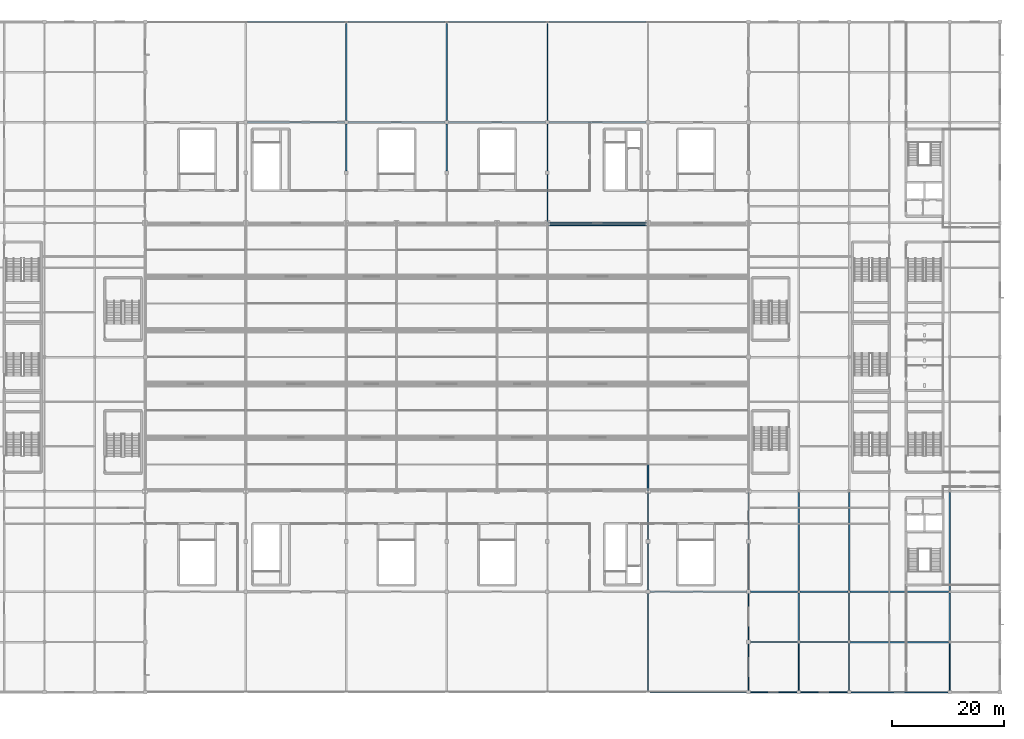
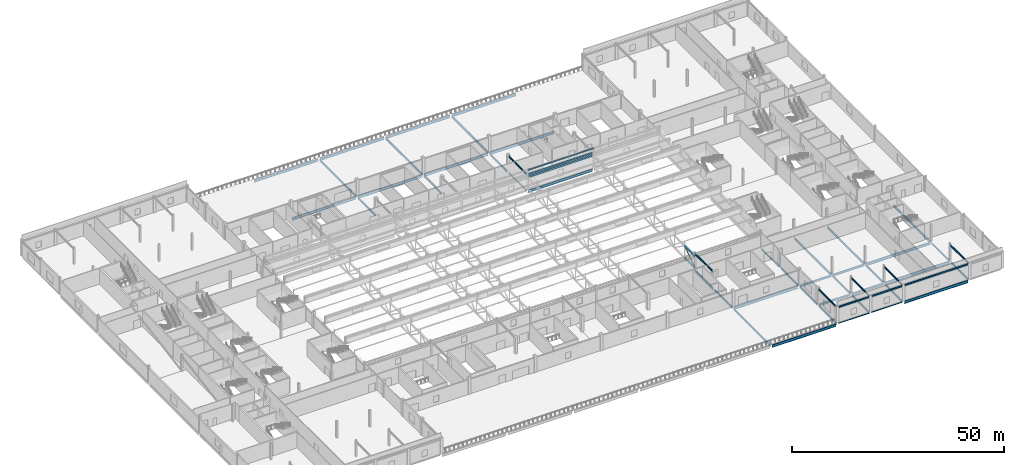
# One storey, part 60 of 136: 56 beams, 2 members.
"""IFC4 building model written with IfcOpenShell, lengths in metres."""

import ifcopenshell
import ifcopenshell.guid

model = None  # the IFC model being written
_history = None  # IfcOwnerHistory: only IFC2X3 demands one
_inside = {}  # id of a spatial element -> (the spatial element, [elements in it])
_under = {}  # id of a project, library or spatial element -> (it, [spatial elements below it])
_declared = {}  # id of a project -> (the project, [libraries it declares])
_typed = {}  # id of a type object -> (the type object, [elements of that type])
_made_of = {}  # id of a material, layer set ... -> (it, [elements and type objects made of it])


def new_model(schema):
    """Start an empty IFC model of exactly this schema.

    Asked for "IFC4X3", IfcOpenShell would pick the latest addendum, in which some entities
    have other attributes; the version numbers below select the first issue.
    IFC2X3 requires an IfcOwnerHistory on every rooted entity: one is made here for all.
    """
    global model, _history
    if schema == "IFC4X3":
        model = ifcopenshell.file(schema_version=(4, 3, 0, 0))
    else:
        model = ifcopenshell.file(schema=schema)
    _inside.clear()
    _under.clear()
    _declared.clear()
    _typed.clear()
    _made_of.clear()
    _history = None
    if model.schema == "IFC2X3":
        org = make("IfcOrganization", Name="unknown")
        user = make(
            "IfcPersonAndOrganization",
            ThePerson=make("IfcPerson", FamilyName="unknown"),
            TheOrganization=org,
        )
        app = make(
            "IfcApplication",
            ApplicationDeveloper=org,
            Version="unknown",
            ApplicationFullName="unknown",
            ApplicationIdentifier="unknown",
        )
        _history = make(
            "IfcOwnerHistory",
            OwningUser=user,
            OwningApplication=app,
            ChangeAction="ADDED",
            CreationDate=0,
        )
    return model


def make(cls, **values):
    """One entity of the class cls with the attributes given. An attribute that is None is left unset."""
    return model.create_entity(
        cls, **{name: value for name, value in values.items() if value is not None}
    )


def rooted(cls, **values):
    """An entity with a GlobalId (a new one), such as an element, a storey or a relation."""
    return make(cls, GlobalId=ifcopenshell.guid.new(), OwnerHistory=_history, **values)


def si_unit(unit_type, name, prefix=None):
    """IfcSIUnit, for example si_unit("LENGTHUNIT", "METRE", prefix="MILLI")."""
    return make("IfcSIUnit", UnitType=unit_type, Prefix=prefix, Name=name)


def assignment(units):
    """IfcUnitAssignment: the units of a project."""
    return None if units is None else make("IfcUnitAssignment", Units=units)


def point(xyz):
    """IfcCartesianPoint."""
    return None if xyz is None else make("IfcCartesianPoint", Coordinates=xyz)


def direction(xyz):
    """IfcDirection."""
    return None if xyz is None else make("IfcDirection", DirectionRatios=xyz)


def frame(location, z_axis=None, x_axis=None):
    """IfcAxis2Placement3D, a coordinate frame: its origin and axes. An axis left out is left unset."""
    return make(
        "IfcAxis2Placement3D",
        Location=point(location),
        Axis=direction(z_axis),
        RefDirection=direction(x_axis),
    )


def frame_2d(location, x_axis=None):
    """IfcAxis2Placement2D, a coordinate frame in the plane: its origin and x axis."""
    return make(
        "IfcAxis2Placement2D", Location=point(location), RefDirection=direction(x_axis)
    )


def origin():
    """The frame at (0, 0, 0) with its axes left unset."""
    return frame((0.0, 0.0, 0.0))


def origin_2d():
    """The frame at (0, 0) in the plane with its x axis left unset."""
    return frame_2d((0.0, 0.0))


def place(relative_to, where):
    """IfcLocalPlacement: puts the frame where relative to a parent placement (None: the world)."""
    return make(
        "IfcLocalPlacement", PlacementRelTo=relative_to, RelativePlacement=where
    )


def context(
    kind, dimensions, precision=None, world=None, true_north=None, identifier=None
):
    """IfcGeometricRepresentationContext, for example the 3D "Model" context."""
    return make(
        "IfcGeometricRepresentationContext",
        ContextIdentifier=identifier,
        ContextType=kind,
        CoordinateSpaceDimension=dimensions,
        Precision=precision,
        WorldCoordinateSystem=world,
        TrueNorth=true_north,
    )


def subcontext(parent, identifier, kind, view, scale=None):
    """IfcGeometricRepresentationSubContext, for example "Body" below "Model"."""
    return make(
        "IfcGeometricRepresentationSubContext",
        ContextIdentifier=identifier,
        ContextType=kind,
        ParentContext=parent,
        TargetScale=scale,
        TargetView=view,
    )


def project(units=None, contexts=None):
    """IfcProject with its units and contexts."""
    return rooted(
        "IfcProject",
        Name="project",
        RepresentationContexts=contexts,
        UnitsInContext=assignment(units),
    )


def spatial(cls, under=None, at=None, **own):
    """A site, building, storey or space (cls), placed at a placement, below another one or the project."""
    s = rooted(cls, ObjectPlacement=at, **own)
    if under is not None:
        _under.setdefault(under.id(), (under, []))[1].append(s)
    return s


def profile(cls, at=None, kind="AREA", **sizes):
    """A parametric profile (cls). Its sizes go by their IFC names, for example OverallWidth=200.0."""
    return make(cls, ProfileType=kind, Position=at, **sizes)


def hollow_rectangle(**sizes):
    """IfcRectangleHollowProfileDef."""
    return profile("IfcRectangleHollowProfileDef", **sizes)


def hollow_circle(**sizes):
    """IfcCircleHollowProfileDef."""
    return profile("IfcCircleHollowProfileDef", **sizes)


def i_section(**sizes):
    """IfcIShapeProfileDef."""
    return profile("IfcIShapeProfileDef", **sizes)


def extrude(swept, where, along, depth):
    """IfcExtrudedAreaSolid: the profile swept, set in the frame where, extruded along a direction by depth."""
    return make(
        "IfcExtrudedAreaSolid",
        SweptArea=swept,
        Position=where,
        ExtrudedDirection=direction(along),
        Depth=depth,
    )


def shape(context_of_items, identifier, shape_type, items):
    """IfcShapeRepresentation: the items that make up one representation, for example the "Body"."""
    return make(
        "IfcShapeRepresentation",
        ContextOfItems=context_of_items,
        RepresentationIdentifier=identifier,
        RepresentationType=shape_type,
        Items=items,
    )


def material(Name=None, Category=None):
    """IfcMaterial."""
    return make("IfcMaterial", Name=Name, Category=Category)


def material_profile(
    of_material, cross_section, Name=None, Category=None, Priority=None
):
    """IfcMaterialProfile: a cross section and its material."""
    return make(
        "IfcMaterialProfile",
        Name=Name,
        Material=of_material,
        Profile=cross_section,
        Priority=Priority,
        Category=Category,
    )


def profile_set(profiles, Name=None, composite=None):
    """IfcMaterialProfileSet."""
    return make(
        "IfcMaterialProfileSet",
        Name=Name,
        MaterialProfiles=profiles,
        CompositeProfile=composite,
    )


def made_of(thing, what):
    """Note that an element or type object is made of a material, layer set ...; save() writes the relation."""
    if what is not None:
        _made_of.setdefault(what.id(), (what, []))[1].append(thing)
    return thing


def type_object(cls, material=None, **own):
    """A type object (cls), such as IfcWallType, which elements share."""
    return made_of(rooted(cls, **own), material)


def element(
    cls,
    number,
    at=None,
    inside=None,
    cuts=None,
    type_object=None,
    material=None,
    context=None,
    identifier="Body",
    shape_type=None,
    held_by="IfcProductDefinitionShape",
    body=None,
    shapes=None,
    **own,
):
    """One element of the class cls, such as IfcWall. Its Tag is "e" and its number.

    at: its placement. inside: the storey or other place that contains it. cuts: it is an
    opening in that element (IfcRelVoidsElement). A single representation is given by context,
    identifier, shape_type and body (its items); several are given by shapes. held_by: the class
    of the entity that holds the representations. save() writes the other relations.
    """
    e = rooted(cls, Tag="e%d" % number, ObjectPlacement=at, **own)
    if body is not None:
        shapes = [shape(context, identifier, shape_type, body)]
    if shapes is not None:
        e.Representation = make(held_by, Representations=shapes)
    if inside is not None:
        _inside.setdefault(inside.id(), (inside, []))[1].append(e)
    if cuts is not None:
        rooted(
            "IfcRelVoidsElement", RelatingBuildingElement=cuts, RelatedOpeningElement=e
        )
    if type_object is not None:
        _typed.setdefault(type_object.id(), (type_object, []))[1].append(e)
    return made_of(e, material)


def aggregate(whole, parts):
    """IfcRelAggregates: a whole, such as a stair, and the parts it consists of."""
    return rooted("IfcRelAggregates", RelatingObject=whole, RelatedObjects=parts)


def save(model, path):
    """Write the relations noted so far, then the file.

    IfcRelAggregates (storeys below a building ...), IfcRelContainedInSpatialStructure (elements
    in a storey), IfcRelDefinesByType, IfcRelAssociatesMaterial and IfcRelDeclares: one each for
    every whole, place, type object, material and project.
    """
    for whole, parts in _under.values():
        aggregate(whole, parts)
    for where, things in _inside.values():
        rooted(
            "IfcRelContainedInSpatialStructure",
            RelatedElements=things,
            RelatingStructure=where,
        )
    for kind, things in _typed.values():
        rooted("IfcRelDefinesByType", RelatedObjects=things, RelatingType=kind)
    for what, things in _made_of.values():
        rooted("IfcRelAssociatesMaterial", RelatedObjects=things, RelatingMaterial=what)
    for by, libraries in _declared.values():
        rooted("IfcRelDeclares", RelatingContext=by, RelatedDefinitions=libraries)
    model.write(path)


model = new_model("IFC4")

# Units and contexts
model_context = context("Model", 3, precision=1e-05, world=origin(), true_north=direction((0.0, 1.0)))
body_context = subcontext(model_context, "Body", "Model", "MODEL_VIEW")
ifc_project = project(units=[si_unit("LENGTHUNIT", "METRE"), si_unit("AREAUNIT", "SQUARE_METRE"), si_unit("VOLUMEUNIT", "CUBIC_METRE"), si_unit("PLANEANGLEUNIT", "RADIAN"), si_unit("MASSUNIT", "GRAM", prefix="KILO")], contexts=[model_context])

# Site, building, storey
site_placement = place(None, origin())
site = spatial("IfcSite", under=ifc_project, at=site_placement, CompositionType="ELEMENT")
building_placement = place(site_placement, origin())
building = spatial("IfcBuilding", under=site, at=building_placement, Name="Kisiwana Market Hall", CompositionType="ELEMENT")
storey_placement = place(building_placement, frame((0.0, 0.0, 16.800048828125)))
storey = spatial("IfcBuildingStorey", under=building, at=storey_placement, Name="L03", CompositionType="ELEMENT", Elevation=16.800048828125)

# Beams
ifc_material_1 = material(Name="Steel S355", Category="steel")
ifc_material_profile_1 = material_profile(ifc_material_1, i_section(OverallWidth=0.19140625, OverallDepth=0.4599609375, WebThickness=0.010009765625, FlangeThickness=0.01611328125, at=origin_2d()), Name="UB 457x191x82")
ifc_profile_set_1 = profile_set([ifc_material_profile_1], Name="Steel S355")
beam_type_1 = type_object("IfcBeamType", Name="BM-GIRD-UB457H", PredefinedType="BEAM", material=ifc_profile_set_1)
for number, where, z_axis, x_axis, name in (
    (1, (153.321044921875, 0.0, 4.27783203125), (1.0, 0.0, 0.0), (0.0, 1.0, 0.0), "Roof girder B-1119"),
    (2, (162.321044921875, 0.0, 4.27783203125), (1.0, 0.0, 0.0), (0.0, 1.0, 0.0), "Roof girder B-1120"),
):
    element("IfcBeam", number, at=place(storey_placement, frame(where, z_axis=z_axis, x_axis=x_axis)), inside=storey, type_object=beam_type_1, Name=name, PredefinedType="BEAM", context=body_context, shape_type="SweptSolid", body=[
        extrude(i_section(OverallWidth=0.19140625, OverallDepth=0.4599609375, WebThickness=0.010009765625, FlangeThickness=0.01611328125, at=origin_2d()), origin(), (0.0, 0.0, 1.0), 8.35791015625),
    ])
beam_1_placement = place(storey_placement, frame((171.321044921875, 0.0, 4.27783203125), z_axis=(1.0, 0.0, 0.0), x_axis=(0.0, 1.0, 0.0)))
element("IfcBeam", 3, at=beam_1_placement, inside=storey, type_object=beam_type_1, Name="Roof girder B-1121", PredefinedType="BEAM", context=body_context, shape_type="SweptSolid", body=[
    extrude(i_section(OverallWidth=0.19140625, OverallDepth=0.4599609375, WebThickness=0.010009765625, FlangeThickness=0.01611328125, at=origin_2d()), origin(), (0.0, 0.0, 1.0), 17.35791015625),
])
beam_2_placement = place(storey_placement, frame((153.0, 0.321044921875, 4.27783203125), z_axis=(0.0, 1.0, 0.0), x_axis=(-1.0, 0.0, 0.0)))
element("IfcBeam", 4, at=beam_2_placement, inside=storey, type_object=beam_type_1, Name="Roof girder B-1123", PredefinedType="BEAM", context=body_context, shape_type="SweptSolid", body=[
    extrude(i_section(OverallWidth=0.19140625, OverallDepth=0.4599609375, WebThickness=0.010009765625, FlangeThickness=0.01611328125, at=origin_2d()), origin(), (0.0, 0.0, 1.0), 8.35791015625),
])
for number, where, z_axis, x_axis, name in (
    (5, (162.0, 0.321044921875, 4.27783203125), (0.0, 1.0, 0.0), (-1.0, 0.0, 0.0), "Roof girder B-1124"),
    (6, (171.0, 0.321044921875, 4.27783203125), (0.0, 1.0, 0.0), (-1.0, 0.0, 0.0), "Roof girder B-1125"),
    (7, (189.0, 0.321044921875, 4.27783203125), (0.0, 1.0, 0.0), (-1.0, 0.0, 0.0), "Roof girder B-1126"),
):
    element("IfcBeam", number, at=place(storey_placement, frame(where, z_axis=z_axis, x_axis=x_axis)), inside=storey, type_object=beam_type_1, Name=name, PredefinedType="BEAM", context=body_context, shape_type="SweptSolid", body=[
        extrude(i_section(OverallWidth=0.19140625, OverallDepth=0.4599609375, WebThickness=0.010009765625, FlangeThickness=0.01611328125, at=origin_2d()), origin(), (0.0, 0.0, 1.0), 8.486083984375),
    ])
beam_3_placement = place(storey_placement, frame((135.0, 27.321044921875, 4.27783203125), z_axis=(0.0, 1.0, 0.0), x_axis=(-1.0, 0.0, 0.0)))
element("IfcBeam", 8, at=beam_3_placement, inside=storey, type_object=beam_type_1, Name="Roof girder B-1149", PredefinedType="BEAM", context=body_context, shape_type="SweptSolid", body=[
    extrude(i_section(OverallWidth=0.19140625, OverallDepth=0.4599609375, WebThickness=0.010009765625, FlangeThickness=0.01611328125, at=origin_2d()), origin(), (0.0, 0.0, 1.0), 8.465576171875),
])
beam_4_placement = place(storey_placement, frame((117.201904296875, 84.0, 4.27783203125), z_axis=(1.0, 0.0, 0.0), x_axis=(0.0, 1.0, 0.0)))
element("IfcBeam", 9, at=beam_4_placement, inside=storey, type_object=beam_type_1, Name="Roof girder B-1156", PredefinedType="BEAM", context=body_context, shape_type="SweptSolid", body=[
    extrude(i_section(OverallWidth=0.19140625, OverallDepth=0.4599609375, WebThickness=0.010009765625, FlangeThickness=0.01611328125, at=origin_2d()), origin(), (0.0, 0.0, 1.0), 17.59619140625),
])
beam_5_placement = place(storey_placement, frame((117.0, 84.21337890625, 4.27783203125), z_axis=(0.0, 1.0, 0.0), x_axis=(-1.0, 0.0, 0.0)))
element("IfcBeam", 10, at=beam_5_placement, inside=storey, type_object=beam_type_1, Name="Roof girder B-1161", PredefinedType="BEAM", context=body_context, shape_type="SweptSolid", body=[
    extrude(i_section(OverallWidth=0.19140625, OverallDepth=0.4599609375, WebThickness=0.010009765625, FlangeThickness=0.01611328125, at=origin_2d()), origin(), (0.0, 0.0, 1.0), 8.465576171875),
])
ifc_material_2 = material(Name="Steel S355", Category="steel")
ifc_material_profile_2 = material_profile(ifc_material_2, i_section(OverallWidth=0.209228515625, OverallDepth=0.533203125, WebThickness=0.010009765625, FlangeThickness=0.015625, at=origin_2d()), Name="UB 533x210x92")
ifc_profile_set_2 = profile_set([ifc_material_profile_2], Name="Steel S355")
beam_type_2 = type_object("IfcBeamType", Name="BM-GIRD-UB533", PredefinedType="BEAM", material=ifc_profile_set_2)
for number, where, z_axis, x_axis, name in (
    (11, (81.0, 93.321044921875, -0.5166015625), (0.0, 1.0, 0.0), (-1.0, 0.0, 0.0), "Primary girder B-0893"),
    (12, (99.0, 93.321044921875, -0.5166015625), (0.0, 1.0, 0.0), (-1.0, 0.0, 0.0), "Primary girder B-0899"),
):
    element("IfcBeam", number, at=place(storey_placement, frame(where, z_axis=z_axis, x_axis=x_axis)), inside=storey, type_object=beam_type_2, Name=name, PredefinedType="BEAM", context=body_context, shape_type="SweptSolid", body=[
        extrude(i_section(OverallWidth=0.209228515625, OverallDepth=0.533203125, WebThickness=0.010009765625, FlangeThickness=0.015625, at=origin_2d()), origin(), (0.0, 0.0, 1.0), 8.35791015625),
    ])
beam_6_placement = place(storey_placement, frame((117.0, 84.21337890625, -0.5166015625), z_axis=(0.0, 1.0, 0.0), x_axis=(-1.0, 0.0, 0.0)))
element("IfcBeam", 13, at=beam_6_placement, inside=storey, type_object=beam_type_2, Name="Primary girder B-0904", PredefinedType="BEAM", context=body_context, shape_type="SweptSolid", body=[
    extrude(i_section(OverallWidth=0.209228515625, OverallDepth=0.533203125, WebThickness=0.010009765625, FlangeThickness=0.015625, at=origin_2d()), origin(), (0.0, 0.0, 1.0), 8.465576171875),
])
for number, where, z_axis, x_axis, name in (
    (14, (117.0, 93.321044921875, -0.5166015625), (0.0, 1.0, 0.0), (-1.0, 0.0, 0.0), "Primary girder B-0905"),
    (15, (135.0, 18.321044921875, -0.5166015625), (0.0, 1.0, 0.0), (-1.0, 0.0, 0.0), "Primary girder B-0908"),
):
    element("IfcBeam", number, at=place(storey_placement, frame(where, z_axis=z_axis, x_axis=x_axis)), inside=storey, type_object=beam_type_2, Name=name, PredefinedType="BEAM", context=body_context, shape_type="SweptSolid", body=[
        extrude(i_section(OverallWidth=0.209228515625, OverallDepth=0.533203125, WebThickness=0.010009765625, FlangeThickness=0.015625, at=origin_2d()), origin(), (0.0, 0.0, 1.0), 8.35791015625),
    ])
beam_7_placement = place(storey_placement, frame((135.0, 27.321044921875, -0.5166015625), z_axis=(0.0, 1.0, 0.0), x_axis=(-1.0, 0.0, 0.0)))
element("IfcBeam", 16, at=beam_7_placement, inside=storey, type_object=beam_type_2, Name="Primary girder B-0909", PredefinedType="BEAM", context=body_context, shape_type="SweptSolid", body=[
    extrude(i_section(OverallWidth=0.209228515625, OverallDepth=0.533203125, WebThickness=0.010009765625, FlangeThickness=0.015625, at=origin_2d()), origin(), (0.0, 0.0, 1.0), 8.465576171875),
])
for number, where, z_axis, x_axis, name in (
    (17, (153.0, 0.321044921875, -0.524658203125), (0.0, 1.0, 0.0), (-1.0, 0.0, 0.0), "Primary girder B-0913"),
    (18, (153.0, 9.321044921875, -0.524658203125), (0.0, 1.0, 0.0), (-1.0, 0.0, 0.0), "Primary girder B-0914"),
    (19, (153.0, 18.321044921875, -0.5166015625), (0.0, 1.0, 0.0), (-1.0, 0.0, 0.0), "Primary girder B-0915"),
):
    element("IfcBeam", number, at=place(storey_placement, frame(where, z_axis=z_axis, x_axis=x_axis)), inside=storey, type_object=beam_type_2, Name=name, PredefinedType="BEAM", context=body_context, shape_type="SweptSolid", body=[
        extrude(i_section(OverallWidth=0.209228515625, OverallDepth=0.533203125, WebThickness=0.010009765625, FlangeThickness=0.015625, at=origin_2d()), origin(), (0.0, 0.0, 1.0), 8.35791015625),
    ])
beam_8_placement = place(storey_placement, frame((153.0, 27.321044921875, -0.5166015625), z_axis=(0.0, 1.0, 0.0), x_axis=(-1.0, 0.0, 0.0)))
element("IfcBeam", 20, at=beam_8_placement, inside=storey, type_object=beam_type_2, Name="Primary girder B-0916", PredefinedType="BEAM", context=body_context, shape_type="SweptSolid", body=[
    extrude(i_section(OverallWidth=0.209228515625, OverallDepth=0.533203125, WebThickness=0.010009765625, FlangeThickness=0.015625, at=origin_2d()), origin(), (0.0, 0.0, 1.0), 8.465576171875),
])
beam_9_placement = place(storey_placement, frame((162.0, 0.321044921875, -0.5166015625), z_axis=(0.0, 1.0, 0.0), x_axis=(-1.0, 0.0, 0.0)))
element("IfcBeam", 21, at=beam_9_placement, inside=storey, type_object=beam_type_2, Name="Primary girder B-0921", PredefinedType="BEAM", context=body_context, shape_type="SweptSolid", body=[
    extrude(i_section(OverallWidth=0.209228515625, OverallDepth=0.533203125, WebThickness=0.010009765625, FlangeThickness=0.015625, at=origin_2d()), origin(), (0.0, 0.0, 1.0), 8.486083984375),
])
beam_10_placement = place(storey_placement, frame((162.0, 9.19287109375, -0.5166015625), z_axis=(0.0, 1.0, 0.0), x_axis=(-1.0, 0.0, 0.0)))
element("IfcBeam", 22, at=beam_10_placement, inside=storey, type_object=beam_type_2, Name="Primary girder B-0922", PredefinedType="BEAM", context=body_context, shape_type="SweptSolid", body=[
    extrude(i_section(OverallWidth=0.209228515625, OverallDepth=0.533203125, WebThickness=0.010009765625, FlangeThickness=0.015625, at=origin_2d()), origin(), (0.0, 0.0, 1.0), 8.60302734375),
])
beam_11_placement = place(storey_placement, frame((171.0, 0.321044921875, -0.5166015625), z_axis=(0.0, 1.0, 0.0), x_axis=(-1.0, 0.0, 0.0)))
element("IfcBeam", 23, at=beam_11_placement, inside=storey, type_object=beam_type_2, Name="Primary girder B-0929", PredefinedType="BEAM", context=body_context, shape_type="SweptSolid", body=[
    extrude(i_section(OverallWidth=0.209228515625, OverallDepth=0.533203125, WebThickness=0.010009765625, FlangeThickness=0.015625, at=origin_2d()), origin(), (0.0, 0.0, 1.0), 8.486083984375),
])
beam_12_placement = place(storey_placement, frame((171.0, 9.19287109375, -0.5166015625), z_axis=(0.0, 1.0, 0.0), x_axis=(-1.0, 0.0, 0.0)))
element("IfcBeam", 24, at=beam_12_placement, inside=storey, type_object=beam_type_2, Name="Primary girder B-0930", PredefinedType="BEAM", context=body_context, shape_type="SweptSolid", body=[
    extrude(i_section(OverallWidth=0.209228515625, OverallDepth=0.533203125, WebThickness=0.010009765625, FlangeThickness=0.015625, at=origin_2d()), origin(), (0.0, 0.0, 1.0), 8.60302734375),
])
beam_13_placement = place(storey_placement, frame((189.0, 0.321044921875, -0.5166015625), z_axis=(0.0, 1.0, 0.0), x_axis=(-1.0, 0.0, 0.0)))
element("IfcBeam", 25, at=beam_13_placement, inside=storey, type_object=beam_type_2, Name="Primary girder B-0935", PredefinedType="BEAM", context=body_context, shape_type="SweptSolid", body=[
    extrude(i_section(OverallWidth=0.209228515625, OverallDepth=0.533203125, WebThickness=0.010009765625, FlangeThickness=0.015625, at=origin_2d()), origin(), (0.0, 0.0, 1.0), 8.486083984375),
])
beam_14_placement = place(storey_placement, frame((189.0, 9.19287109375, -0.5166015625), z_axis=(0.0, 1.0, 0.0), x_axis=(-1.0, 0.0, 0.0)))
element("IfcBeam", 26, at=beam_14_placement, inside=storey, type_object=beam_type_2, Name="Primary girder B-0936", PredefinedType="BEAM", context=body_context, shape_type="SweptSolid", body=[
    extrude(i_section(OverallWidth=0.209228515625, OverallDepth=0.533203125, WebThickness=0.010009765625, FlangeThickness=0.015625, at=origin_2d()), origin(), (0.0, 0.0, 1.0), 8.60302734375),
])
beam_15_placement = place(storey_placement, frame((117.199951171875, 84.0, 3.54345703125), z_axis=(1.0, 0.0, 0.0), x_axis=(0.0, 1.0, 0.0)))
element("IfcBeam", 27, at=beam_15_placement, inside=storey, type_object=beam_type_2, Name="Truss eaves tie B-1174", PredefinedType="BEAM", context=body_context, shape_type="SweptSolid", body=[
    extrude(i_section(OverallWidth=0.209228515625, OverallDepth=0.533203125, WebThickness=0.010009765625, FlangeThickness=0.015625, at=origin_2d()), origin(), (0.0, 0.0, 1.0), 17.60009765625),
])
ifc_material_3 = material(Name="Steel S355", Category="steel")
ifc_material_profile_3 = material_profile(ifc_material_3, i_section(OverallWidth=0.22900390625, OverallDepth=0.6123046875, WebThickness=0.011962890625, FlangeThickness=0.01953125, at=origin_2d()), Name="UB 610x229x125")
ifc_profile_set_3 = profile_set([ifc_material_profile_3], Name="Steel S355")
beam_type_3 = type_object("IfcBeamType", Name="BM-GIRD-UB610H", PredefinedType="BEAM", material=ifc_profile_set_3)
beam_16_placement = place(storey_placement, frame((153.321044921875, 9.0, -0.55615234375), z_axis=(1.0, 0.0, 0.0), x_axis=(0.0, 1.0, 0.0)))
element("IfcBeam", 28, at=beam_16_placement, inside=storey, type_object=beam_type_3, Name="Floor beam B-0989", PredefinedType="BEAM", context=body_context, shape_type="SweptSolid", body=[
    extrude(i_section(OverallWidth=0.22900390625, OverallDepth=0.6123046875, WebThickness=0.011962890625, FlangeThickness=0.01953125, at=origin_2d()), origin(), (0.0, 0.0, 1.0), 8.4833984375),
])
beam_17_placement = place(storey_placement, frame((162.195556640625, 9.0, -0.55615234375), z_axis=(1.0, 0.0, 0.0), x_axis=(0.0, 1.0, 0.0)))
element("IfcBeam", 29, at=beam_17_placement, inside=storey, type_object=beam_type_3, Name="Floor beam B-0990", PredefinedType="BEAM", context=body_context, shape_type="SweptSolid", body=[
    extrude(i_section(OverallWidth=0.22900390625, OverallDepth=0.6123046875, WebThickness=0.011962890625, FlangeThickness=0.01953125, at=origin_2d()), origin(), (0.0, 0.0, 1.0), 8.60888671875),
])
beam_18_placement = place(storey_placement, frame((153.321044921875, 18.0, -0.55615234375), z_axis=(1.0, 0.0, 0.0), x_axis=(0.0, 1.0, 0.0)))
element("IfcBeam", 30, at=beam_18_placement, inside=storey, type_object=beam_type_3, Name="Floor beam B-1003", PredefinedType="BEAM", context=body_context, shape_type="SweptSolid", body=[
    extrude(i_section(OverallWidth=0.22900390625, OverallDepth=0.6123046875, WebThickness=0.011962890625, FlangeThickness=0.01953125, at=origin_2d()), origin(), (0.0, 0.0, 1.0), 8.47998046875),
])
beam_19_placement = place(storey_placement, frame((162.198974609375, 18.0, -0.55615234375), z_axis=(1.0, 0.0, 0.0), x_axis=(0.0, 1.0, 0.0)))
element("IfcBeam", 31, at=beam_19_placement, inside=storey, type_object=beam_type_3, Name="Floor beam B-1004", PredefinedType="BEAM", context=body_context, shape_type="SweptSolid", body=[
    extrude(i_section(OverallWidth=0.22900390625, OverallDepth=0.6123046875, WebThickness=0.011962890625, FlangeThickness=0.01953125, at=origin_2d()), origin(), (0.0, 0.0, 1.0), 8.60205078125),
])
for number, where, z_axis, x_axis, name in (
    (32, (81.0, 102.321044921875, -0.564208984375), (0.0, 1.0, 0.0), (-1.0, 0.0, 0.0), "Primary girder B-0894"),
    (33, (99.0, 102.321044921875, -0.564208984375), (0.0, 1.0, 0.0), (-1.0, 0.0, 0.0), "Primary girder B-0900"),
    (34, (117.0, 102.321044921875, -0.564208984375), (0.0, 1.0, 0.0), (-1.0, 0.0, 0.0), "Primary girder B-0906"),
    (35, (135.0, 0.321044921875, -0.564208984375), (0.0, 1.0, 0.0), (-1.0, 0.0, 0.0), "Primary girder B-0907"),
):
    element("IfcBeam", number, at=place(storey_placement, frame(where, z_axis=z_axis, x_axis=x_axis)), inside=storey, type_object=beam_type_3, Name=name, PredefinedType="BEAM", context=body_context, shape_type="SweptSolid", body=[
        extrude(i_section(OverallWidth=0.22900390625, OverallDepth=0.6123046875, WebThickness=0.011962890625, FlangeThickness=0.01953125, at=origin_2d()), origin(), (0.0, 0.0, 1.0), 17.35791015625),
    ])
for number, where, z_axis, x_axis, name in (
    (36, (162.0, 18.2041015625, -0.55615234375), (0.0, 1.0, 0.0), (-1.0, 0.0, 0.0), "Primary girder B-0923"),
    (37, (171.0, 18.2041015625, -0.55615234375), (0.0, 1.0, 0.0), (-1.0, 0.0, 0.0), "Primary girder B-0931"),
    (38, (189.0, 18.2041015625, -0.55615234375), (0.0, 1.0, 0.0), (-1.0, 0.0, 0.0), "Primary girder B-0937"),
):
    element("IfcBeam", number, at=place(storey_placement, frame(where, z_axis=z_axis, x_axis=x_axis)), inside=storey, type_object=beam_type_3, Name=name, PredefinedType="BEAM", context=body_context, shape_type="SweptSolid", body=[
        extrude(i_section(OverallWidth=0.22900390625, OverallDepth=0.6123046875, WebThickness=0.011962890625, FlangeThickness=0.01953125, at=origin_2d()), origin(), (0.0, 0.0, 1.0), 17.591796875),
    ])
ifc_material_4 = material(Name="Steel S355", Category="steel")
ifc_material_profile_4 = material_profile(ifc_material_4, i_section(OverallWidth=0.2666015625, OverallDepth=0.76220703125, WebThickness=0.014404296875, FlangeThickness=0.021484375, at=origin_2d()), Name="UB 762x267x173")
ifc_profile_set_4 = profile_set([ifc_material_profile_4], Name="Steel S355")
beam_type_4 = type_object("IfcBeamType", Name="BM-GIRD-UB762", PredefinedType="BEAM", material=ifc_profile_set_4)
for number, where, z_axis, x_axis, name in (
    (39, (135.321044921875, 0.0, -0.63916015625), (1.0, 0.0, 0.0), (0.0, 1.0, 0.0), "Floor beam B-0980"),
    (40, (171.321044921875, 0.0, -0.631103515625), (1.0, 0.0, 0.0), (0.0, 1.0, 0.0), "Floor beam B-0983"),
):
    element("IfcBeam", number, at=place(storey_placement, frame(where, z_axis=z_axis, x_axis=x_axis)), inside=storey, type_object=beam_type_4, Name=name, PredefinedType="BEAM", context=body_context, shape_type="SweptSolid", body=[
        extrude(i_section(OverallWidth=0.2666015625, OverallDepth=0.76220703125, WebThickness=0.014404296875, FlangeThickness=0.021484375, at=origin_2d()), origin(), (0.0, 0.0, 1.0), 17.35791015625),
    ])
beam_20_placement = place(storey_placement, frame((171.195556640625, 9.0, -0.631103515625), z_axis=(1.0, 0.0, 0.0), x_axis=(0.0, 1.0, 0.0)))
element("IfcBeam", 41, at=beam_20_placement, inside=storey, type_object=beam_type_4, Name="Floor beam B-0991", PredefinedType="BEAM", context=body_context, shape_type="SweptSolid", body=[
    extrude(i_section(OverallWidth=0.2666015625, OverallDepth=0.76220703125, WebThickness=0.014404296875, FlangeThickness=0.021484375, at=origin_2d()), origin(), (0.0, 0.0, 1.0), 17.60888671875),
])
beam_21_placement = place(storey_placement, frame((135.321044921875, 18.0, -0.63916015625), z_axis=(1.0, 0.0, 0.0), x_axis=(0.0, 1.0, 0.0)))
element("IfcBeam", 42, at=beam_21_placement, inside=storey, type_object=beam_type_4, Name="Floor beam B-1002", PredefinedType="BEAM", context=body_context, shape_type="SweptSolid", body=[
    extrude(i_section(OverallWidth=0.2666015625, OverallDepth=0.76220703125, WebThickness=0.014404296875, FlangeThickness=0.021484375, at=origin_2d()), origin(), (0.0, 0.0, 1.0), 17.35791015625),
])
beam_22_placement = place(storey_placement, frame((171.198974609375, 18.0, -0.631103515625), z_axis=(1.0, 0.0, 0.0), x_axis=(0.0, 1.0, 0.0)))
element("IfcBeam", 43, at=beam_22_placement, inside=storey, type_object=beam_type_4, Name="Floor beam B-1005", PredefinedType="BEAM", context=body_context, shape_type="SweptSolid", body=[
    extrude(i_section(OverallWidth=0.2666015625, OverallDepth=0.76220703125, WebThickness=0.014404296875, FlangeThickness=0.021484375, at=origin_2d()), origin(), (0.0, 0.0, 1.0), 17.60205078125),
])
beam_23_placement = place(storey_placement, frame((117.201904296875, 84.0, -0.631103515625), z_axis=(1.0, 0.0, 0.0), x_axis=(0.0, 1.0, 0.0)))
element("IfcBeam", 44, at=beam_23_placement, inside=storey, type_object=beam_type_4, Name="Floor beam B-1035", PredefinedType="BEAM", context=body_context, shape_type="SweptSolid", body=[
    extrude(i_section(OverallWidth=0.2666015625, OverallDepth=0.76220703125, WebThickness=0.014404296875, FlangeThickness=0.021484375, at=origin_2d()), origin(), (0.0, 0.0, 1.0), 17.59619140625),
])
for number, where, z_axis, x_axis, name in (
    (45, (63.321044921875, 102.0, -0.63916015625), (1.0, 0.0, 0.0), (0.0, 1.0, 0.0), "Floor beam B-1046"),
    (46, (81.321044921875, 102.0, -0.63916015625), (1.0, 0.0, 0.0), (0.0, 1.0, 0.0), "Floor beam B-1047"),
    (47, (99.321044921875, 102.0, -0.63916015625), (1.0, 0.0, 0.0), (0.0, 1.0, 0.0), "Floor beam B-1048"),
    (48, (117.321044921875, 102.0, -0.63916015625), (1.0, 0.0, 0.0), (0.0, 1.0, 0.0), "Floor beam B-1049"),
    (49, (63.321044921875, 120.0, -0.63916015625), (1.0, 0.0, 0.0), (0.0, 1.0, 0.0), "Floor beam B-1068"),
    (50, (81.321044921875, 120.0, -0.63916015625), (1.0, 0.0, 0.0), (0.0, 1.0, 0.0), "Floor beam B-1069"),
    (51, (99.321044921875, 120.0, -0.63916015625), (1.0, 0.0, 0.0), (0.0, 1.0, 0.0), "Floor beam B-1070"),
    (52, (117.321044921875, 120.0, -0.63916015625), (1.0, 0.0, 0.0), (0.0, 1.0, 0.0), "Floor beam B-1071"),
):
    element("IfcBeam", number, at=place(storey_placement, frame(where, z_axis=z_axis, x_axis=x_axis)), inside=storey, type_object=beam_type_4, Name=name, PredefinedType="BEAM", context=body_context, shape_type="SweptSolid", body=[
        extrude(i_section(OverallWidth=0.2666015625, OverallDepth=0.76220703125, WebThickness=0.014404296875, FlangeThickness=0.021484375, at=origin_2d()), origin(), (0.0, 0.0, 1.0), 17.35791015625),
    ])
ifc_material_5 = material(Name="Steel S355", Category="steel")
ifc_material_profile_5 = material_profile(ifc_material_5, hollow_rectangle(XDim=0.14990234375, YDim=0.25, WallThickness=0.010009765625, at=origin_2d()), Name="RHS 250x150x10.0")
ifc_profile_set_5 = profile_set([ifc_material_profile_5], Name="Steel S355")
beam_type_5 = type_object("IfcBeamType", Name="BM-SPAN-RHS250", PredefinedType="SPANDREL", material=ifc_profile_set_5)
for number, where, z_axis, x_axis, name in (
    (53, (153.321044921875, 0.0, -0.375), (1.0, 0.0, 0.0), (0.0, 1.0, 0.0), "Floor beam B-0981"),
    (54, (162.321044921875, 0.0, -0.375), (1.0, 0.0, 0.0), (0.0, 1.0, 0.0), "Floor beam B-0982"),
):
    element("IfcBeam", number, at=place(storey_placement, frame(where, z_axis=z_axis, x_axis=x_axis)), inside=storey, type_object=beam_type_5, Name=name, PredefinedType="SPANDREL", context=body_context, shape_type="SweptSolid", body=[
        extrude(hollow_rectangle(XDim=0.14990234375, YDim=0.25, WallThickness=0.010009765625, at=origin_2d()), origin(), (0.0, 0.0, 1.0), 8.35791015625),
    ])
ifc_material_6 = material(Name="Steel S355", Category="steel")
ifc_material_profile_6 = material_profile(ifc_material_6, i_section(OverallWidth=0.394775390625, OverallDepth=0.381103515625, WebThickness=0.018310546875, FlangeThickness=0.0302734375, at=origin_2d()), Name="UC 356x406x235")
ifc_profile_set_6 = profile_set([ifc_material_profile_6], Name="Steel S355")
beam_type_6 = type_object("IfcBeamType", Name="BM-TRUSS-BOT", PredefinedType="USERDEFINED", material=ifc_profile_set_6)
beam_24_placement = place(storey_placement, frame((135.0, 36.0, 0.22998046875), z_axis=(0.0, 1.0, 0.0), x_axis=(-1.0, 0.0, 0.0)))
element("IfcBeam", 55, at=beam_24_placement, inside=storey, type_object=beam_type_6, Name="TR-07 BC panel 1 B-1297", ObjectType="ROOF TRUSS", PredefinedType="USERDEFINED", context=body_context, shape_type="SweptSolid", body=[
    extrude(i_section(OverallWidth=0.394775390625, OverallDepth=0.381103515625, WebThickness=0.018310546875, FlangeThickness=0.0302734375, at=origin_2d()), origin(), (0.0, 0.0, 1.0), 4.800048828125),
])
ifc_material_7 = material(Name="Steel S355", Category="steel")
ifc_material_profile_7 = material_profile(ifc_material_7, i_section(OverallWidth=0.39892578125, OverallDepth=0.3935546875, WebThickness=0.022705078125, FlangeThickness=0.03662109375, at=origin_2d()), Name="UC 356x406x287")
ifc_profile_set_7 = profile_set([ifc_material_profile_7], Name="Steel S355")
beam_type_7 = type_object("IfcBeamType", Name="BM-TRUSS-TOP", PredefinedType="USERDEFINED", material=ifc_profile_set_7)
beam_25_placement = place(storey_placement, frame((135.0, 36.0, 3.619873046875), z_axis=(0.0, 1.0, 0.0), x_axis=(-1.0, 0.0, 0.0)))
element("IfcBeam", 56, at=beam_25_placement, inside=storey, type_object=beam_type_7, Name="TR-07 TC panel 1 B-1307", ObjectType="ROOF TRUSS", PredefinedType="USERDEFINED", context=body_context, shape_type="SweptSolid", body=[
    extrude(i_section(OverallWidth=0.39892578125, OverallDepth=0.3935546875, WebThickness=0.022705078125, FlangeThickness=0.03662109375, at=origin_2d()), origin(), (0.0, 0.0, 1.0), 4.800048828125),
])

# Members
ifc_material_8 = material(Name="Steel S355", Category="steel")
ifc_material_profile_8 = material_profile(ifc_material_8, i_section(OverallWidth=0.146484375, OverallDepth=0.256103515625, WebThickness=0.00634765625, FlangeThickness=0.010986328125, at=origin_2d()), Name="UB 254x146x37")
ifc_profile_set_8 = profile_set([ifc_material_profile_8], Name="Steel S355")
member_type_1 = type_object("IfcMemberType", Name="MB-ROOF-PURLIN2", PredefinedType="PURLIN", material=ifc_profile_set_8)
member_1_placement = place(storey_placement, frame((117.0, 83.60009765625, 5.843505859375), z_axis=(1.0, 0.0, 0.0), x_axis=(0.0, 1.0, 0.0)))
element("IfcMember", 57, at=member_1_placement, inside=storey, type_object=member_type_1, Name="Sawtooth roof purlin 360 M-0221", PredefinedType="PURLIN", context=body_context, shape_type="SweptSolid", body=[
    extrude(i_section(OverallWidth=0.146484375, OverallDepth=0.256103515625, WebThickness=0.00634765625, FlangeThickness=0.010986328125, at=origin_2d()), origin(), (0.0, 0.0, 1.0), 18.0),
])
ifc_material_9 = material(Name="Steel S355", Category="steel")
ifc_material_profile_9 = material_profile(ifc_material_9, hollow_circle(Radius=0.109619140625, WallThickness=0.012451171875, at=origin_2d()), Name="CHS 219.1x12.5")
ifc_profile_set_9 = profile_set([ifc_material_profile_9], Name="Steel S355")
member_type_2 = type_object("IfcMemberType", Name="MB-TR-DIAG219", PredefinedType="BRACE", material=ifc_profile_set_9)
member_2_placement = place(storey_placement, frame((135.0, 36.0, 0.22998046875), z_axis=(0.0, 0.816837735077, 0.576867501732), x_axis=(-1.0, 0.0, 0.0)))
element("IfcMember", 58, at=member_2_placement, inside=storey, type_object=member_type_2, Name="TR-07 diagonal 1 M-0449", PredefinedType="BRACE", context=body_context, shape_type="SweptSolid", body=[
    extrude(hollow_circle(Radius=0.109619140625, WallThickness=0.012451171875, at=origin_2d()), origin(), (0.0, 0.0, 1.0), 5.87646484375),
])

save(model, "model.ifc")
